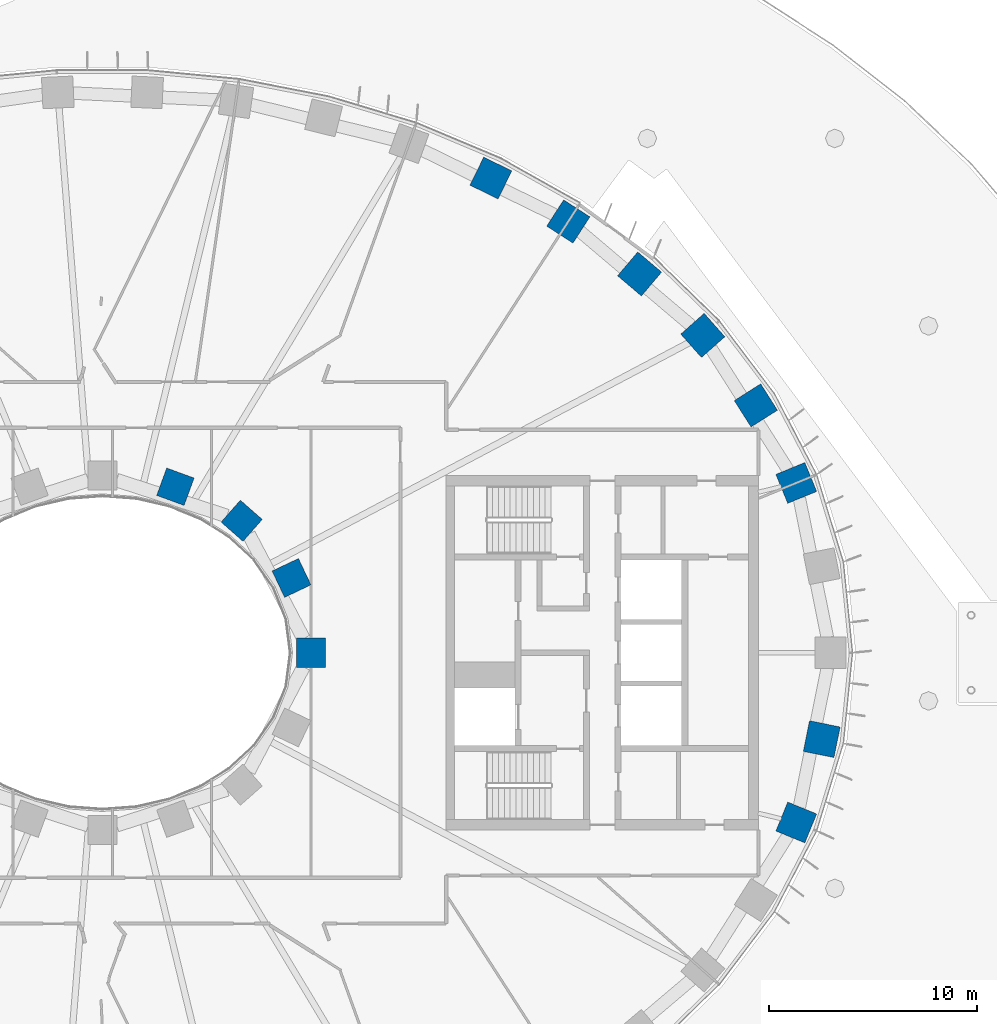
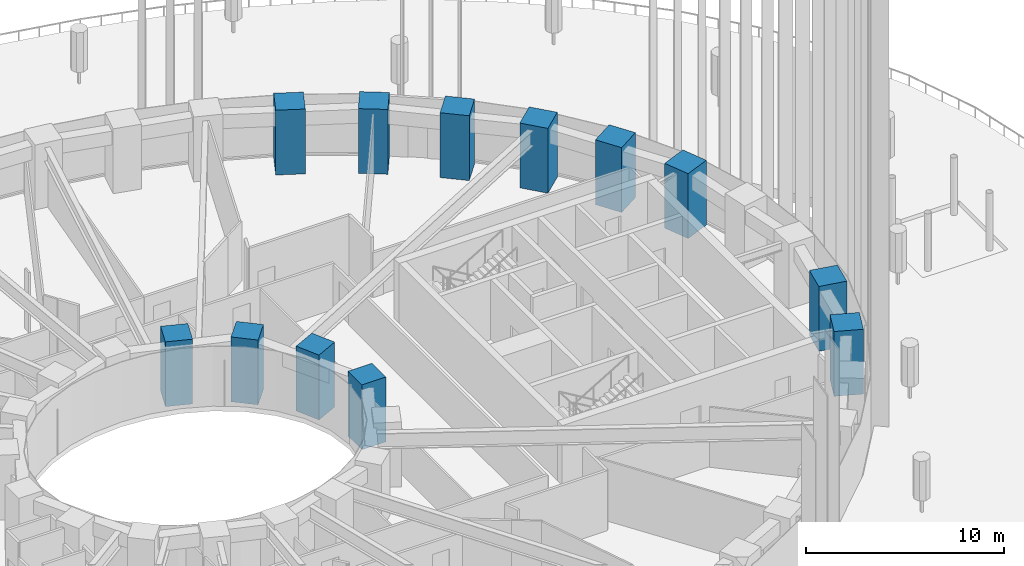
# One storey, part 6 of 30: 12 columns.
"""IFC4 building model written with IfcOpenShell, lengths in metres."""

from ifc_helpers import new_model, si_unit, direction, frame, origin, origin_2d, place, context, subcontext, project, spatial, rectangle, extrude, material, material_profile, profile_set, type_object, element, save


model = new_model("IFC4")

# Units and contexts
model_context = context("Model", 3, precision=1e-05, world=origin(), true_north=direction((0.0, 1.0)))
body_context = subcontext(model_context, "Body", "Model", "MODEL_VIEW")
ifc_project = project(units=[si_unit("LENGTHUNIT", "METRE"), si_unit("AREAUNIT", "SQUARE_METRE"), si_unit("VOLUMEUNIT", "CUBIC_METRE"), si_unit("PLANEANGLEUNIT", "RADIAN"), si_unit("MASSUNIT", "GRAM", prefix="KILO")], contexts=[model_context])

# Site, building, storey
site_placement = place(None, origin())
site = spatial("IfcSite", under=ifc_project, at=site_placement, CompositionType="ELEMENT")
building_placement = place(site_placement, origin())
building = spatial("IfcBuilding", under=site, at=building_placement, Name="Noorbagh Ring Tower", CompositionType="ELEMENT")
storey_placement = place(building_placement, frame((0.0, 0.0, 30.5)))
storey = spatial("IfcBuildingStorey", under=building, at=storey_placement, Name="L05", CompositionType="ELEMENT", Elevation=30.5)

# Columns
ifc_material_1 = material(Name="Concrete C70/85", Category="concrete")
ifc_material_profile_1 = material_profile(ifc_material_1, rectangle(XDim=1.5, YDim=1.5, at=origin_2d()), Name="RC1500x1500")
ifc_profile_set_1 = profile_set([ifc_material_profile_1], Name="Concrete C70/85")
column_type_1 = type_object("IfcColumnType", Name="STR-COL-RC1500x1500-C70-85", PredefinedType="COLUMN", material=ifc_profile_set_1)
for number, where, z_axis, x_axis, name in (
    (1, (33.30517578125, 8.1494140625, 0.0), (0.0, 0.0, 1.0), (-0.378989499959, 0.925400971969, 0.0), "L05/col/R1-03"),
    (2, (31.364990234375, 11.87109375, 0.0), (0.0, 0.0, 1.0), (-0.535190403059, 0.844731455833, 0.0), "L05/col/R1-04"),
    (3, (28.81884765625, 15.23046875, 0.0), (0.0, 0.0, 1.0), (-0.662635642662, 0.748941923699, 0.0), "L05/col/R1-05"),
    (4, (25.78271484375, 18.180419921875, 0.0), (0.0, 0.0, 1.0), (-0.763035199656, 0.646356932419, 0.0), "L05/col/R1-06"),
    (5, (22.362060546875, 20.699951171875, 0.0), (0.0, 0.0, 1.0), (-0.840247639643, 0.542202825586, 0.0), "L05/col/R1-07"),
    (6, (18.646240234375, 22.785400390625, 0.0), (0.0, 0.0, 1.0), (-0.898399080868, 0.439180021741, 0.0), "L05/col/R1-08"),
    (7, (33.30517578125, -8.1494140625, 0.0), (0.0, 0.0, 1.0), (0.378989499959, 0.925400971969, 0.0), "L05/col/R1-45"),
    (8, (34.52685546875, -4.150634765625, 0.0), (0.0, 0.0, 1.0), (0.19723040178, 0.9803571638, 0.0), "L05/col/R1-46"),
):
    element("IfcColumn", number, at=place(storey_placement, frame(where, z_axis=z_axis, x_axis=x_axis)), inside=storey, type_object=column_type_1, Name=name, PredefinedType="COLUMN", context=body_context, shape_type="SweptSolid", body=[
        extrude(rectangle(XDim=1.5, YDim=1.5, at=origin_2d()), origin(), (0.0, 0.0, 1.0), 4.0),
    ])
ifc_material_2 = material(Name="Concrete C70/85", Category="concrete")
ifc_material_profile_2 = material_profile(ifc_material_2, rectangle(XDim=1.39990234375, YDim=1.39990234375, at=origin_2d()), Name="RC1400x1400")
ifc_profile_set_2 = profile_set([ifc_material_profile_2], Name="Concrete C70/85")
column_type_2 = type_object("IfcColumnType", Name="STR-ICOL-RC1400x1400-C70-85", PredefinedType="COLUMN", material=ifc_profile_set_2)
for number, where, z_axis, x_axis, name in (
    (9, (10.00830078125, 0.0, 0.0), (0.0, 0.0, 1.0), (0.0, 1.0, 0.0), "L05/col/IR2-W01"),
    (10, (9.07568359375, 3.58837890625, 0.0), (0.0, 0.0, 1.0), (-0.428666979171, 0.903462573087, 0.0), "L05/col/IR2-W03"),
    (11, (6.68212890625, 6.333740234375, 0.0), (0.0, 0.0, 1.0), (-0.75102249095, 0.660276622399, 0.0), "L05/col/IR2-W05"),
    (12, (3.5009765625, 7.967041015625, 0.0), (0.0, 0.0, 1.0), (-0.939019578916, 0.343863679984, 0.0), "L05/col/IR2-W07"),
):
    element("IfcColumn", number, at=place(storey_placement, frame(where, z_axis=z_axis, x_axis=x_axis)), inside=storey, type_object=column_type_2, Name=name, PredefinedType="COLUMN", context=body_context, shape_type="SweptSolid", body=[
        extrude(rectangle(XDim=1.39990234375, YDim=1.39990234375, at=origin_2d()), origin(), (0.0, 0.0, 1.0), 4.0),
    ])

save(model, "model.ifc")
